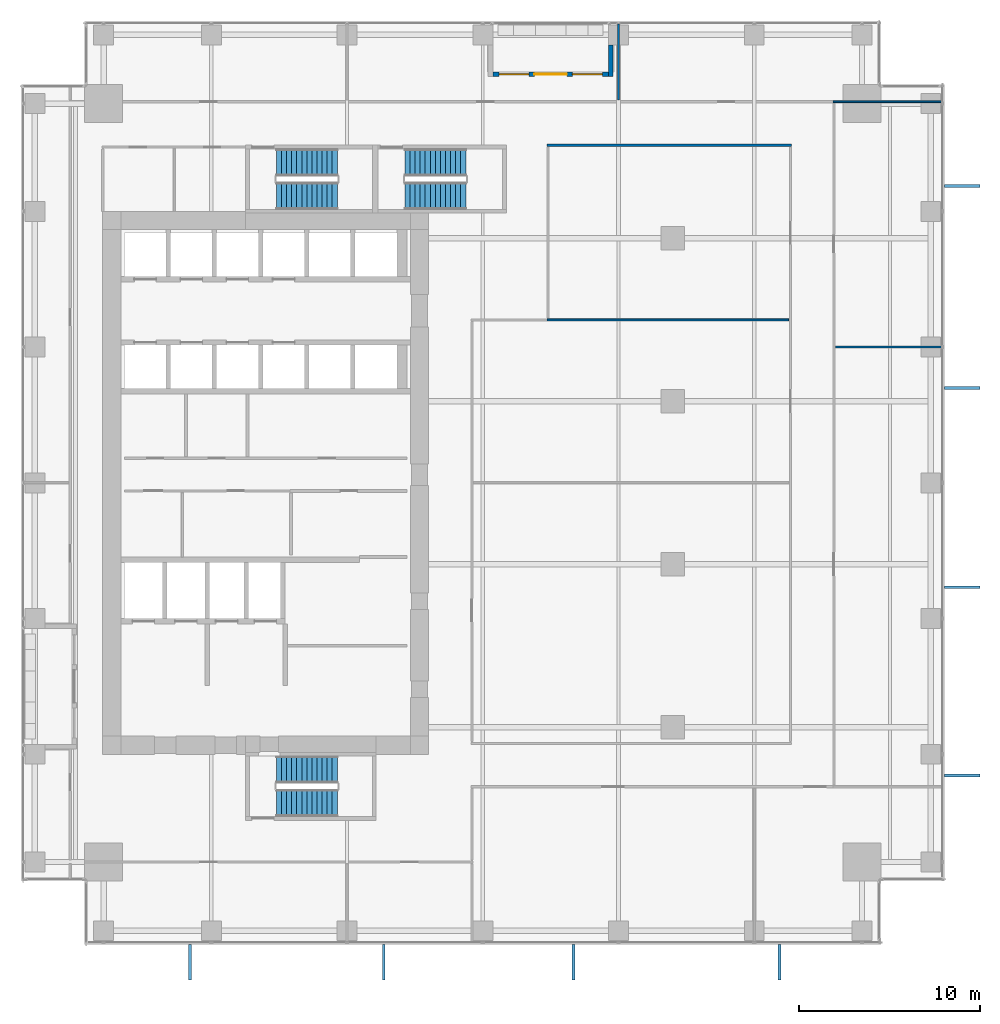
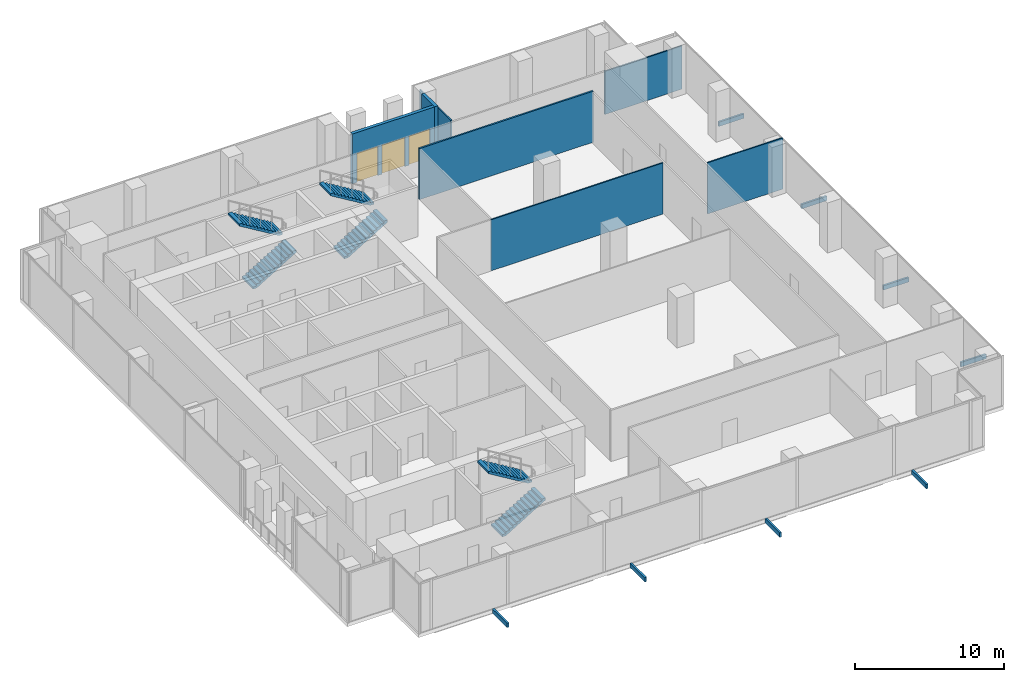
# One storey, part 31 of 34: 8 discrete accessories, 7 walls, 6 stair flights, 2 windows, 1 door, 3 openings, 3 elements without a shape of their own.
"""IFC4 building model written with IfcOpenShell, lengths in metres."""

import ifcopenshell
import ifcopenshell.guid

model = None  # the IFC model being written
_history = None  # IfcOwnerHistory: only IFC2X3 demands one
_inside = {}  # id of a spatial element -> (the spatial element, [elements in it])
_under = {}  # id of a project, library or spatial element -> (it, [spatial elements below it])
_declared = {}  # id of a project -> (the project, [libraries it declares])
_typed = {}  # id of a type object -> (the type object, [elements of that type])
_made_of = {}  # id of a material, layer set ... -> (it, [elements and type objects made of it])


def new_model(schema):
    """Start an empty IFC model of exactly this schema.

    Asked for "IFC4X3", IfcOpenShell would pick the latest addendum, in which some entities
    have other attributes; the version numbers below select the first issue.
    IFC2X3 requires an IfcOwnerHistory on every rooted entity: one is made here for all.
    """
    global model, _history
    if schema == "IFC4X3":
        model = ifcopenshell.file(schema_version=(4, 3, 0, 0))
    else:
        model = ifcopenshell.file(schema=schema)
    _inside.clear()
    _under.clear()
    _declared.clear()
    _typed.clear()
    _made_of.clear()
    _history = None
    if model.schema == "IFC2X3":
        org = make("IfcOrganization", Name="unknown")
        user = make(
            "IfcPersonAndOrganization",
            ThePerson=make("IfcPerson", FamilyName="unknown"),
            TheOrganization=org,
        )
        app = make(
            "IfcApplication",
            ApplicationDeveloper=org,
            Version="unknown",
            ApplicationFullName="unknown",
            ApplicationIdentifier="unknown",
        )
        _history = make(
            "IfcOwnerHistory",
            OwningUser=user,
            OwningApplication=app,
            ChangeAction="ADDED",
            CreationDate=0,
        )
    return model


def make(cls, **values):
    """One entity of the class cls with the attributes given. An attribute that is None is left unset."""
    return model.create_entity(
        cls, **{name: value for name, value in values.items() if value is not None}
    )


def rooted(cls, **values):
    """An entity with a GlobalId (a new one), such as an element, a storey or a relation."""
    return make(cls, GlobalId=ifcopenshell.guid.new(), OwnerHistory=_history, **values)


def si_unit(unit_type, name, prefix=None):
    """IfcSIUnit, for example si_unit("LENGTHUNIT", "METRE", prefix="MILLI")."""
    return make("IfcSIUnit", UnitType=unit_type, Prefix=prefix, Name=name)


def assignment(units):
    """IfcUnitAssignment: the units of a project."""
    return None if units is None else make("IfcUnitAssignment", Units=units)


def point(xyz):
    """IfcCartesianPoint."""
    return None if xyz is None else make("IfcCartesianPoint", Coordinates=xyz)


def direction(xyz):
    """IfcDirection."""
    return None if xyz is None else make("IfcDirection", DirectionRatios=xyz)


def frame(location, z_axis=None, x_axis=None):
    """IfcAxis2Placement3D, a coordinate frame: its origin and axes. An axis left out is left unset."""
    return make(
        "IfcAxis2Placement3D",
        Location=point(location),
        Axis=direction(z_axis),
        RefDirection=direction(x_axis),
    )


def frame_2d(location, x_axis=None):
    """IfcAxis2Placement2D, a coordinate frame in the plane: its origin and x axis."""
    return make(
        "IfcAxis2Placement2D", Location=point(location), RefDirection=direction(x_axis)
    )


def origin():
    """The frame at (0, 0, 0) with its axes left unset."""
    return frame((0.0, 0.0, 0.0))


def origin_2d():
    """The frame at (0, 0) in the plane with its x axis left unset."""
    return frame_2d((0.0, 0.0))


def place(relative_to, where):
    """IfcLocalPlacement: puts the frame where relative to a parent placement (None: the world)."""
    return make(
        "IfcLocalPlacement", PlacementRelTo=relative_to, RelativePlacement=where
    )


def context(
    kind, dimensions, precision=None, world=None, true_north=None, identifier=None
):
    """IfcGeometricRepresentationContext, for example the 3D "Model" context."""
    return make(
        "IfcGeometricRepresentationContext",
        ContextIdentifier=identifier,
        ContextType=kind,
        CoordinateSpaceDimension=dimensions,
        Precision=precision,
        WorldCoordinateSystem=world,
        TrueNorth=true_north,
    )


def subcontext(parent, identifier, kind, view, scale=None):
    """IfcGeometricRepresentationSubContext, for example "Body" below "Model"."""
    return make(
        "IfcGeometricRepresentationSubContext",
        ContextIdentifier=identifier,
        ContextType=kind,
        ParentContext=parent,
        TargetScale=scale,
        TargetView=view,
    )


def project(units=None, contexts=None):
    """IfcProject with its units and contexts."""
    return rooted(
        "IfcProject",
        Name="project",
        RepresentationContexts=contexts,
        UnitsInContext=assignment(units),
    )


def spatial(cls, under=None, at=None, **own):
    """A site, building, storey or space (cls), placed at a placement, below another one or the project."""
    s = rooted(cls, ObjectPlacement=at, **own)
    if under is not None:
        _under.setdefault(under.id(), (under, []))[1].append(s)
    return s


def polyline(points):
    """IfcPolyline through the points."""
    return make("IfcPolyline", Points=[point(p) for p in points])


def profile(cls, at=None, kind="AREA", **sizes):
    """A parametric profile (cls). Its sizes go by their IFC names, for example OverallWidth=200.0."""
    return make(cls, ProfileType=kind, Position=at, **sizes)


def rectangle(**sizes):
    """IfcRectangleProfileDef."""
    return profile("IfcRectangleProfileDef", **sizes)


def outline(outer, holes=None, kind="AREA"):
    """IfcArbitraryClosedProfileDef: a profile drawn as a closed curve; with holes, ...WithVoids."""
    if holes is None:
        return make("IfcArbitraryClosedProfileDef", ProfileType=kind, OuterCurve=outer)
    return make(
        "IfcArbitraryProfileDefWithVoids",
        ProfileType=kind,
        OuterCurve=outer,
        InnerCurves=holes,
    )


def extrude(swept, where, along, depth):
    """IfcExtrudedAreaSolid: the profile swept, set in the frame where, extruded along a direction by depth."""
    return make(
        "IfcExtrudedAreaSolid",
        SweptArea=swept,
        Position=where,
        ExtrudedDirection=direction(along),
        Depth=depth,
    )


def shape(context_of_items, identifier, shape_type, items):
    """IfcShapeRepresentation: the items that make up one representation, for example the "Body"."""
    return make(
        "IfcShapeRepresentation",
        ContextOfItems=context_of_items,
        RepresentationIdentifier=identifier,
        RepresentationType=shape_type,
        Items=items,
    )


def source(mapping_origin, context_of_items, identifier, shape_type, items):
    """IfcRepresentationMap: a shape defined once, which mapped items show again and again."""
    return make(
        "IfcRepresentationMap",
        MappingOrigin=mapping_origin,
        MappedRepresentation=shape(context_of_items, identifier, shape_type, items),
    )


def transform(
    local_origin,
    x_axis=None,
    y_axis=None,
    z_axis=None,
    scale=None,
    scale2=None,
    scale3=None,
    uniform=True,
):
    """IfcCartesianTransformationOperator3D, or its non-uniform kind. x_axis, y_axis, z_axis: its Axis1, 2, 3."""
    if uniform:
        return make(
            "IfcCartesianTransformationOperator3D",
            Axis1=direction(x_axis),
            Axis2=direction(y_axis),
            LocalOrigin=point(local_origin),
            Scale=scale,
            Axis3=direction(z_axis),
        )
    return make(
        "IfcCartesianTransformationOperator3DnonUniform",
        Axis1=direction(x_axis),
        Axis2=direction(y_axis),
        LocalOrigin=point(local_origin),
        Scale=scale,
        Axis3=direction(z_axis),
        Scale2=scale2,
        Scale3=scale3,
    )


def mapped(mapping_source, mapping_target):
    """IfcMappedItem: shows the shape of a source again, moved by a transform."""
    return make(
        "IfcMappedItem", MappingSource=mapping_source, MappingTarget=mapping_target
    )


def material(Name=None, Category=None):
    """IfcMaterial."""
    return make("IfcMaterial", Name=Name, Category=Category)


def layer(
    of_material, thickness, ventilated=None, Name=None, Category=None, Priority=None
):
    """IfcMaterialLayer: one layer of a wall or slab, of a material (None: an air gap)."""
    return make(
        "IfcMaterialLayer",
        Material=of_material,
        LayerThickness=thickness,
        IsVentilated=ventilated,
        Name=Name,
        Category=Category,
        Priority=Priority,
    )


def layer_set(layers, Name=None):
    """IfcMaterialLayerSet."""
    return make("IfcMaterialLayerSet", MaterialLayers=layers, LayerSetName=Name)


def made_of(thing, what):
    """Note that an element or type object is made of a material, layer set ...; save() writes the relation."""
    if what is not None:
        _made_of.setdefault(what.id(), (what, []))[1].append(thing)
    return thing


def type_object(cls, material=None, **own):
    """A type object (cls), such as IfcWallType, which elements share."""
    return made_of(rooted(cls, **own), material)


def element(
    cls,
    number,
    at=None,
    inside=None,
    cuts=None,
    type_object=None,
    material=None,
    context=None,
    identifier="Body",
    shape_type=None,
    held_by="IfcProductDefinitionShape",
    body=None,
    shapes=None,
    **own,
):
    """One element of the class cls, such as IfcWall. Its Tag is "e" and its number.

    at: its placement. inside: the storey or other place that contains it. cuts: it is an
    opening in that element (IfcRelVoidsElement). A single representation is given by context,
    identifier, shape_type and body (its items); several are given by shapes. held_by: the class
    of the entity that holds the representations. save() writes the other relations.
    """
    e = rooted(cls, Tag="e%d" % number, ObjectPlacement=at, **own)
    if body is not None:
        shapes = [shape(context, identifier, shape_type, body)]
    if shapes is not None:
        e.Representation = make(held_by, Representations=shapes)
    if inside is not None:
        _inside.setdefault(inside.id(), (inside, []))[1].append(e)
    if cuts is not None:
        rooted(
            "IfcRelVoidsElement", RelatingBuildingElement=cuts, RelatedOpeningElement=e
        )
    if type_object is not None:
        _typed.setdefault(type_object.id(), (type_object, []))[1].append(e)
    return made_of(e, material)


def fill(opening, filler):
    """IfcRelFillsElement: the door or window that sits in an opening."""
    return rooted(
        "IfcRelFillsElement",
        RelatingOpeningElement=opening,
        RelatedBuildingElement=filler,
    )


def aggregate(whole, parts):
    """IfcRelAggregates: a whole, such as a stair, and the parts it consists of."""
    return rooted("IfcRelAggregates", RelatingObject=whole, RelatedObjects=parts)


def save(model, path):
    """Write the relations noted so far, then the file.

    IfcRelAggregates (storeys below a building ...), IfcRelContainedInSpatialStructure (elements
    in a storey), IfcRelDefinesByType, IfcRelAssociatesMaterial and IfcRelDeclares: one each for
    every whole, place, type object, material and project.
    """
    for whole, parts in _under.values():
        aggregate(whole, parts)
    for where, things in _inside.values():
        rooted(
            "IfcRelContainedInSpatialStructure",
            RelatedElements=things,
            RelatingStructure=where,
        )
    for kind, things in _typed.values():
        rooted("IfcRelDefinesByType", RelatedObjects=things, RelatingType=kind)
    for what, things in _made_of.values():
        rooted("IfcRelAssociatesMaterial", RelatedObjects=things, RelatingMaterial=what)
    for by, libraries in _declared.values():
        rooted("IfcRelDeclares", RelatingContext=by, RelatedDefinitions=libraries)
    model.write(path)


model = new_model("IFC4")

# Units and contexts
model_context = context("Model", 3, precision=1e-05, world=origin(), true_north=direction((0.0, 1.0)))
body_context = subcontext(model_context, "Body", "Model", "MODEL_VIEW")
ifc_project = project(units=[si_unit("LENGTHUNIT", "METRE"), si_unit("AREAUNIT", "SQUARE_METRE"), si_unit("VOLUMEUNIT", "CUBIC_METRE"), si_unit("PLANEANGLEUNIT", "RADIAN"), si_unit("MASSUNIT", "GRAM", prefix="KILO")], contexts=[model_context])

# Site, building, storey
site_placement = place(None, origin())
site = spatial("IfcSite", under=ifc_project, at=site_placement, CompositionType="ELEMENT")
building_placement = place(site_placement, origin())
building = spatial("IfcBuilding", under=site, at=building_placement, Name="Khomas Fold Tower", CompositionType="ELEMENT")
storey_placement = place(building_placement, frame((0.0, 0.0, 123.5)))
storey = spatial("IfcBuildingStorey", under=building, at=storey_placement, Name="L26", CompositionType="ELEMENT", Elevation=123.5)

# Wall, openings, door, windows
ifc_material_1 = material(Name="Natural stone", Category="masonry")
ifc_layer_1 = layer(ifc_material_1, 0.0400390625)
ifc_material_2 = material(Name="Mineral wool insulation", Category="insulation")
ifc_layer_2 = layer(ifc_material_2, 0.10009765625)
ifc_material_3 = material(Name="Masonry", Category="masonry")
ifc_layer_3 = layer(ifc_material_3, 0.110107421875)
ifc_layer_set_1 = layer_set([ifc_layer_1, ifc_layer_2, ifc_layer_3], Name="Stone-faced insulated masonry")
wall_type_1 = type_object("IfcWallType", Name="BL-Balcony wall", PredefinedType="SOLIDWALL", material=ifc_layer_set_1)
shared_shape_1 = source(origin(), body_context, "Body", "SweptSolid", [
    extrude(rectangle(XDim=6.39990234375, YDim=0.25, at=frame_2d((3.199951171875, 0.0))), origin(), (0.0, 0.0, 1.0), 4.10009765625),
])
wall_1_placement = place(storey_placement, frame((27.550048828125, 49.574951171875, 0.0), z_axis=(0.0, 0.0, 1.0), x_axis=(1.0, 0.0, 0.0)))
wall_1 = element("IfcWall", 1, at=wall_1_placement, inside=storey, type_object=wall_type_1, Name="Balcony wall BAL-L26-N3", PredefinedType="SOLIDWALL", context=body_context, shape_type="MappedRepresentation", body=[
    mapped(shared_shape_1, transform((0.0, 0.0, 0.0))),
])
shared_shape_2 = source(origin(), body_context, "Body", "SweptSolid", [
    extrude(rectangle(XDim=1.64990234375, YDim=2.39990234375, at=frame_2d((0.824951171875, 1.199951171875))), frame((0.0, 0.135009765625, 0.0), z_axis=(0.0, -1.0, 0.0), x_axis=(1.0, 0.0, 0.0)), (0.0, 0.0, 1.0), 0.27001953125),
])
opening_1_placement = place(wall_1_placement, frame((0.35009765625, 0.0, 0.0)))
opening_1 = element("IfcOpeningElement", 2, at=opening_1_placement, cuts=wall_1, Name="Opening BL-W2", PredefinedType="OPENING", context=body_context, shape_type="MappedRepresentation", body=[
    mapped(shared_shape_2, transform((0.0, 0.0, 0.0))),
])
opening_2_placement = place(wall_1_placement, frame((4.39990234375, 0.0, 0.0)))
opening_2 = element("IfcOpeningElement", 3, at=opening_2_placement, cuts=wall_1, Name="Opening BL-W2", PredefinedType="OPENING", context=body_context, shape_type="MappedRepresentation", body=[
    mapped(shared_shape_2, transform((0.0, 0.0, 0.0))),
])
shared_shape_3 = source(origin(), body_context, "Body", "SweptSolid", [
    extrude(rectangle(XDim=1.800048828125, YDim=2.39990234375, at=frame_2d((0.89990234375, 1.199951171875))), frame((0.0, 0.135009765625, 0.0), z_axis=(0.0, -1.0, 0.0), x_axis=(1.0, 0.0, 0.0)), (0.0, 0.0, 1.0), 0.27001953125),
])
opening_3_placement = place(wall_1_placement, frame((2.300048828125, 0.0, 0.0)))
opening_3 = element("IfcOpeningElement", 4, at=opening_3_placement, cuts=wall_1, Name="Opening BD261", PredefinedType="OPENING", context=body_context, shape_type="MappedRepresentation", body=[
    mapped(shared_shape_3, transform((0.0, 0.0, 0.0))),
])
ifc_material_4 = material(Name="Aluminium framed double glazing", Category="aluminium")
door_type = type_object("IfcDoorType", Name="BL-Glazed balcony door 1800 x 2400", OperationType="DOUBLE_DOOR_DOUBLE_SWING", PredefinedType="DOOR", material=ifc_material_4)
shared_shape_4 = source(origin(), body_context, "Body", "SweptSolid", [
    extrude(rectangle(XDim=1.800048828125, YDim=2.39990234375, at=frame_2d((0.89990234375, 1.199951171875))), frame((0.0, 0.02490234375, 0.0), z_axis=(0.0, -1.0, 0.0), x_axis=(1.0, 0.0, 0.0)), (0.0, 0.0, 1.0), 0.050048828125),
])
door_placement = place(opening_3_placement, origin())
door = element("IfcDoor", 5, at=door_placement, inside=storey, type_object=door_type, Name="Balcony door BD261", OperationType="DOUBLE_DOOR_DOUBLE_SWING", OverallHeight=2.39990234375, OverallWidth=1.800048828125, PredefinedType="DOOR", context=body_context, shape_type="MappedRepresentation", body=[
    mapped(shared_shape_4, transform((0.0, 0.0, 0.0))),
])
fill(opening_3, door)
ifc_material_5 = material(Name="Aluminium framed double glazing", Category="aluminium")
window_type = type_object("IfcWindowType", Name="BL-Fixed glazing 1650 x 2400", PartitioningType="SINGLE_PANEL", PredefinedType="WINDOW", material=ifc_material_5)
shared_shape_5 = source(origin(), body_context, "Body", "SweptSolid", [
    extrude(rectangle(XDim=1.64990234375, YDim=2.39990234375, at=frame_2d((0.824951171875, 1.199951171875))), frame((0.0, 0.030029296875, 0.0), z_axis=(0.0, -1.0, 0.0), x_axis=(1.0, 0.0, 0.0)), (0.0, 0.0, 1.0), 0.06005859375),
])
window_1_placement = place(opening_1_placement, origin())
window_1 = element("IfcWindow", 6, at=window_1_placement, inside=storey, type_object=window_type, Name="Balcony glazing BAL-L26-N3-1", OverallHeight=2.39990234375, OverallWidth=1.64990234375, PartitioningType="SINGLE_PANEL", PredefinedType="WINDOW", context=body_context, shape_type="MappedRepresentation", body=[
    mapped(shared_shape_5, transform((0.0, 0.0, 0.0))),
])
fill(opening_1, window_1)
window_2_placement = place(opening_2_placement, origin())
window_2 = element("IfcWindow", 7, at=window_2_placement, inside=storey, type_object=window_type, Name="Balcony glazing BAL-L26-N3-2", OverallHeight=2.39990234375, OverallWidth=1.64990234375, PartitioningType="SINGLE_PANEL", PredefinedType="WINDOW", context=body_context, shape_type="MappedRepresentation", body=[
    mapped(shared_shape_5, transform((0.0, 0.0, 0.0))),
])
fill(opening_2, window_2)

# Walls
shared_shape_6 = source(origin(), body_context, "Body", "SweptSolid", [
    extrude(rectangle(XDim=1.75, YDim=0.25, at=frame_2d((0.875, 0.0))), origin(), (0.0, 0.0, 1.0), 4.10009765625),
])
wall_2_placement = place(storey_placement, frame((34.074951171875, 51.199951171875, 0.0), z_axis=(0.0, 0.0, 1.0), x_axis=(0.0, -1.0, 0.0)))
element("IfcWall", 8, at=wall_2_placement, inside=storey, type_object=wall_type_1, Name="Balcony return wall BAL-L26-N3-hi", PredefinedType="SOLIDWALL", context=body_context, shape_type="MappedRepresentation", body=[
    mapped(shared_shape_6, transform((0.0, 0.0, 0.0))),
])
ifc_material_6 = material(Name="Plasterboard partition")
ifc_layer_4 = layer(ifc_material_6, 0.10009765625)
ifc_layer_set_2 = layer_set([ifc_layer_4], Name="Plasterboard partition")
wall_type_2 = type_object("IfcWallType", Name="Partition PW1 100", PredefinedType="PARTITIONING", material=ifc_layer_set_2)
shared_shape_7 = source(origin(), body_context, "Body", "SweptSolid", [
    extrude(rectangle(XDim=5.85009765625, YDim=0.10009765625, at=frame_2d((2.925048828125, 0.0))), origin(), (0.0, 0.0, 1.0), 4.199951171875),
])
wall_3_placement = place(storey_placement, frame((46.5, 34.5, 0.0), z_axis=(0.0, 0.0, 1.0), x_axis=(1.0, 0.0, 0.0)))
element("IfcWall", 9, at=wall_3_placement, inside=storey, type_object=wall_type_2, Name="Partition", PredefinedType="PARTITIONING", context=body_context, shape_type="MappedRepresentation", body=[
    mapped(shared_shape_7, transform((0.0, 0.0, 0.0))),
])
shared_shape_8 = source(origin(), body_context, "Body", "SweptSolid", [
    extrude(rectangle(XDim=13.349853515625, YDim=0.10009765625, at=frame_2d((6.6748046875, 0.0))), origin(), (0.0, 0.0, 1.0), 4.199951171875),
])
wall_4_placement = place(storey_placement, frame((30.550048828125, 36.0, 0.0), z_axis=(0.0, 0.0, 1.0), x_axis=(1.0, 0.0, 0.0)))
element("IfcWall", 10, at=wall_4_placement, inside=storey, type_object=wall_type_2, Name="Partition", PredefinedType="PARTITIONING", context=body_context, shape_type="MappedRepresentation", body=[
    mapped(shared_shape_8, transform((0.0, 0.0, 0.0))),
])
ifc_material_7 = material(Name="Plasterboard partition")
ifc_layer_5 = layer(ifc_material_7, 0.125)
ifc_layer_set_3 = layer_set([ifc_layer_5], Name="Plasterboard partition")
wall_type_3 = type_object("IfcWallType", Name="Partition PW2 125", PredefinedType="PARTITIONING", material=ifc_layer_set_3)
shared_shape_9 = source(origin(), body_context, "Body", "SweptSolid", [
    extrude(rectangle(XDim=13.5, YDim=0.125, at=frame_2d((6.75, 0.0))), origin(), (0.0, 0.0, 1.0), 4.199951171875),
])
wall_5_placement = place(storey_placement, frame((30.550048828125, 45.64990234375, 0.0), z_axis=(0.0, 0.0, 1.0), x_axis=(1.0, 0.0, 0.0)))
element("IfcWall", 11, at=wall_5_placement, inside=storey, type_object=wall_type_3, Name="Partition", PredefinedType="PARTITIONING", context=body_context, shape_type="MappedRepresentation", body=[
    mapped(shared_shape_9, transform((0.0, 0.0, 0.0))),
])
shared_shape_10 = source(origin(), body_context, "Body", "SweptSolid", [
    extrude(rectangle(XDim=6.0, YDim=0.10009765625, at=frame_2d((3.0, 0.0))), origin(), (0.0, 0.0, 1.0), 3.550048828125),
])
wall_6_placement = place(storey_placement, frame((46.35009765625, 48.050048828125, 0.0), z_axis=(0.0, 0.0, 1.0), x_axis=(1.0, 0.0, 0.0)))
element("IfcWall", 12, at=wall_6_placement, inside=storey, type_object=wall_type_2, Name="Partition", PredefinedType="PARTITIONING", context=body_context, shape_type="MappedRepresentation", body=[
    mapped(shared_shape_10, transform((0.0, 0.0, 0.0))),
])
shared_shape_11 = source(origin(), body_context, "Body", "SweptSolid", [
    extrude(rectangle(XDim=4.2001953125, YDim=0.10009765625, at=frame_2d((2.10009765625, 0.0))), origin(), (0.0, 0.0, 1.0), 3.60009765625),
])
wall_7_placement = place(storey_placement, frame((34.5, 48.14990234375, 0.0), z_axis=(0.0, 0.0, 1.0), x_axis=(0.0, 1.0, 0.0)))
element("IfcWall", 13, at=wall_7_placement, inside=storey, type_object=wall_type_2, Name="Partition", PredefinedType="PARTITIONING", context=body_context, shape_type="MappedRepresentation", body=[
    mapped(shared_shape_11, transform((0.0, 0.0, 0.0))),
])

# Stair, stair flights
ifc_material_8 = material(Name="Concrete C40/50", Category="concrete")
stair_type_1 = type_object("IfcStairType", Name="Stair ST1", PredefinedType="HALF_TURN_STAIR", material=ifc_material_8)
stair_1_placement = place(storey_placement, origin())
stair_1 = element("IfcStair", 14, at=stair_1_placement, inside=storey, type_object=stair_type_1, Name="L26 ST1", PredefinedType="HALF_TURN_STAIR")
ifc_material_9 = material(Name="Concrete C40/50", Category="concrete")
stair_flight_type_1 = type_object("IfcStairFlightType", Name="Stair flight 1500 ST1", PredefinedType="STRAIGHT", material=ifc_material_9)
shared_shape_12 = source(origin(), body_context, "Body", "SweptSolid", [
    extrude(outline(polyline([(0.0, 0.0), (0.0, 0.012939453125), (0.0, 0.026123046875), (0.0, 0.0390625), (0.0, 0.052001953125), (0.0, 0.065185546875), (0.0, 0.078125), (0.0, 0.091064453125), (0.0, 0.104248046875), (0.0, 0.1171875), (0.0, 0.130126953125), (0.0, 0.143310546875), (0.0, 0.15625), (0.0, 0.169189453125), (0.280029296875, 0.169189453125), (0.280029296875, 0.33837890625), (0.56005859375, 0.33837890625), (0.56005859375, 0.5078125), (0.840087890625, 0.5078125), (0.840087890625, 0.677001953125), (1.1201171875, 0.677001953125), (1.1201171875, 0.84619140625), (1.39990234375, 0.84619140625), (1.39990234375, 1.015380859375), (1.679931640625, 1.015380859375), (1.679931640625, 1.1845703125), (1.9599609375, 1.1845703125), (1.9599609375, 1.353759765625), (2.239990234375, 1.353759765625), (2.239990234375, 1.523193359375), (2.52001953125, 1.523193359375), (2.52001953125, 1.6923828125), (2.800048828125, 1.6923828125), (2.800048828125, 1.861572265625), (3.080078125, 1.861572265625), (3.080078125, 2.03076171875), (3.360107421875, 2.03076171875), (3.360107421875, 2.199951171875), (3.360107421875, 2.173583984375), (3.360107421875, 2.14697265625), (3.360107421875, 2.12060546875), (3.360107421875, 2.093994140625), (3.360107421875, 2.067626953125), (3.360107421875, 2.041015625), (3.360107421875, 2.0146484375), (3.360107421875, 1.988037109375), (3.360107421875, 1.961669921875), (3.360107421875, 1.93505859375), (3.360107421875, 1.90869140625), (3.360107421875, 1.882080078125), (3.360107421875, 1.855712890625), (0.289794921875, 0.0), (0.0, 0.0)])), frame((0.0, 0.75, 0.0), z_axis=(0.0, -1.0, 0.0), x_axis=(1.0, 0.0, 0.0)), (0.0, 0.0, 1.0), 1.5),
])
stair_flight_1_placement = place(storey_placement, frame((15.60009765625, 42.85009765625, 0.0), z_axis=(0.0, 0.0, 1.0), x_axis=(1.0, 0.0, 0.0)))
stair_flight_1 = element("IfcStairFlight", 15, at=stair_flight_1_placement, type_object=stair_flight_type_1, Name="ST1 flight 1", NumberOfRisers=13, NumberOfTreads=12, PredefinedType="STRAIGHT", RiserHeight=0.169230769, TreadLength=0.28, context=body_context, shape_type="MappedRepresentation", body=[
    mapped(shared_shape_12, transform((0.0, 0.0, 0.0))),
])
stair_flight_2_placement = place(storey_placement, frame((18.9599609375, 44.699951171875, 2.199951171875), z_axis=(0.0, 0.0, 1.0), x_axis=(-1.0, 0.0, 0.0)))
stair_flight_2 = element("IfcStairFlight", 16, at=stair_flight_2_placement, type_object=stair_flight_type_1, Name="ST1 flight 2", NumberOfRisers=13, NumberOfTreads=12, PredefinedType="STRAIGHT", RiserHeight=0.169230769, TreadLength=0.28, context=body_context, shape_type="MappedRepresentation", body=[
    mapped(shared_shape_12, transform((0.0, 0.0, 0.0))),
])
aggregate(stair_1, [stair_flight_1, stair_flight_2])

ifc_material_10 = material(Name="Concrete C40/50", Category="concrete")
stair_type_2 = type_object("IfcStairType", Name="Stair ST2", PredefinedType="HALF_TURN_STAIR", material=ifc_material_10)
stair_2_placement = place(storey_placement, origin())
stair_2 = element("IfcStair", 17, at=stair_2_placement, inside=storey, type_object=stair_type_2, Name="L26 ST2", PredefinedType="HALF_TURN_STAIR")
ifc_material_11 = material(Name="Concrete C40/50", Category="concrete")
stair_flight_type_2 = type_object("IfcStairFlightType", Name="Stair flight 1500 ST2", PredefinedType="STRAIGHT", material=ifc_material_11)
stair_flight_3_placement = place(storey_placement, frame((15.60009765625, 9.300048828125, 0.0), z_axis=(0.0, 0.0, 1.0), x_axis=(1.0, 0.0, 0.0)))
stair_flight_3 = element("IfcStairFlight", 18, at=stair_flight_3_placement, type_object=stair_flight_type_2, Name="ST2 flight 1", NumberOfRisers=13, NumberOfTreads=12, PredefinedType="STRAIGHT", RiserHeight=0.169230769, TreadLength=0.28, context=body_context, shape_type="MappedRepresentation", body=[
    mapped(shared_shape_12, transform((0.0, 0.0, 0.0))),
])
stair_flight_4_placement = place(storey_placement, frame((18.9599609375, 11.14990234375, 2.199951171875), z_axis=(0.0, 0.0, 1.0), x_axis=(-1.0, 0.0, 0.0)))
stair_flight_4 = element("IfcStairFlight", 19, at=stair_flight_4_placement, type_object=stair_flight_type_2, Name="ST2 flight 2", NumberOfRisers=13, NumberOfTreads=12, PredefinedType="STRAIGHT", RiserHeight=0.169230769, TreadLength=0.28, context=body_context, shape_type="MappedRepresentation", body=[
    mapped(shared_shape_12, transform((0.0, 0.0, 0.0))),
])
aggregate(stair_2, [stair_flight_3, stair_flight_4])

ifc_material_12 = material(Name="Concrete C40/50", Category="concrete")
stair_type_3 = type_object("IfcStairType", Name="Stair ST3", PredefinedType="HALF_TURN_STAIR", material=ifc_material_12)
stair_3_placement = place(storey_placement, origin())
stair_3 = element("IfcStair", 20, at=stair_3_placement, inside=storey, type_object=stair_type_3, Name="L26 ST3", PredefinedType="HALF_TURN_STAIR")
ifc_material_13 = material(Name="Concrete C40/50", Category="concrete")
stair_flight_type_3 = type_object("IfcStairFlightType", Name="Stair flight 1500 ST3", PredefinedType="STRAIGHT", material=ifc_material_13)
stair_flight_5_placement = place(storey_placement, frame((22.699951171875, 42.85009765625, 0.0), z_axis=(0.0, 0.0, 1.0), x_axis=(1.0, 0.0, 0.0)))
stair_flight_5 = element("IfcStairFlight", 21, at=stair_flight_5_placement, type_object=stair_flight_type_3, Name="ST3 flight 1", NumberOfRisers=13, NumberOfTreads=12, PredefinedType="STRAIGHT", RiserHeight=0.169230769, TreadLength=0.28, context=body_context, shape_type="MappedRepresentation", body=[
    mapped(shared_shape_12, transform((0.0, 0.0, 0.0))),
])
stair_flight_6_placement = place(storey_placement, frame((26.06005859375, 44.699951171875, 2.199951171875), z_axis=(0.0, 0.0, 1.0), x_axis=(-1.0, 0.0, 0.0)))
stair_flight_6 = element("IfcStairFlight", 22, at=stair_flight_6_placement, type_object=stair_flight_type_3, Name="ST3 flight 2", NumberOfRisers=13, NumberOfTreads=12, PredefinedType="STRAIGHT", RiserHeight=0.169230769, TreadLength=0.28, context=body_context, shape_type="MappedRepresentation", body=[
    mapped(shared_shape_12, transform((0.0, 0.0, 0.0))),
])
aggregate(stair_3, [stair_flight_5, stair_flight_6])

# Discrete accessories
ifc_material_14 = material(Name="Stainless steel", Category="steel")
discrete_accessory_type = type_object("IfcDiscreteAccessoryType", Name="SK-Stainless steel stone bracket", PredefinedType="BRACKET", material=ifc_material_14)
shared_shape_13 = source(origin(), body_context, "Body", "SweptSolid", [
    extrude(rectangle(XDim=1.970703125, YDim=0.14990234375, at=origin_2d()), origin(), (0.0, 0.0, 1.0), 0.360107421875),
])
for number, where, z_axis, x_axis, name in (
    (23, (10.824951171875, 0.5146484375, -0.30029296875), (0.0, 0.0, 1.0), (0.0, -1.0, 0.0), "Stone bracket L26 SS03-1-2"),
    (24, (21.5302734375, 0.5146484375, -0.30029296875), (0.0, 0.0, 1.0), (0.0, -1.0, 0.0), "Stone bracket L26 SS06-2-2"),
    (25, (32.015869140625, 0.5146484375, -0.30029296875), (0.0, 0.0, 1.0), (0.0, -1.0, 0.0), "Stone bracket L26 SS09-3-2"),
    (26, (43.3974609375, 0.5146484375, -0.30029296875), (0.0, 0.0, 1.0), (0.0, -1.0, 0.0), "Stone bracket L26 SS12-4-2"),
    (27, (53.4853515625, 10.824951171875, -0.30029296875), (0.0, 0.0, 1.0), (1.0, 0.0, 0.0), "Stone bracket L26 ES03-1-2"),
    (28, (53.4853515625, 21.2255859375, -0.30029296875), (0.0, 0.0, 1.0), (1.0, 0.0, 0.0), "Stone bracket L26 ES06-2-2"),
    (29, (53.4853515625, 32.23486328125, -0.30029296875), (0.0, 0.0, 1.0), (1.0, 0.0, 0.0), "Stone bracket L26 ES09-3-2"),
    (30, (53.4853515625, 43.3974609375, -0.30029296875), (0.0, 0.0, 1.0), (1.0, 0.0, 0.0), "Stone bracket L26 ES12-4-2"),
):
    element("IfcDiscreteAccessory", number, at=place(storey_placement, frame(where, z_axis=z_axis, x_axis=x_axis)), inside=storey, type_object=discrete_accessory_type, Name=name, PredefinedType="BRACKET", context=body_context, shape_type="MappedRepresentation", body=[
        mapped(shared_shape_13, transform((0.0, 0.0, 0.0))),
    ])

save(model, "model.ifc")
